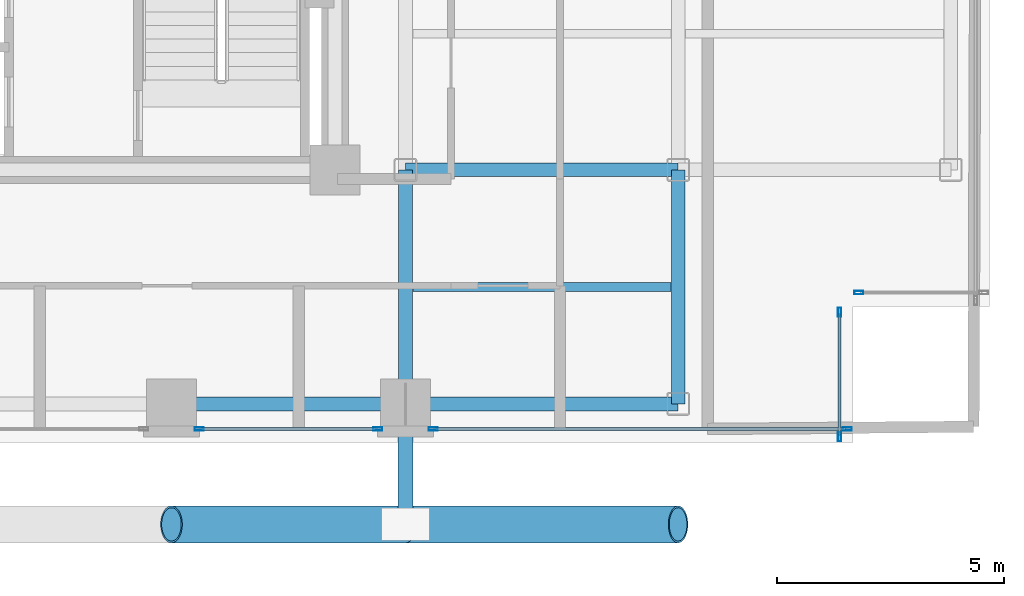
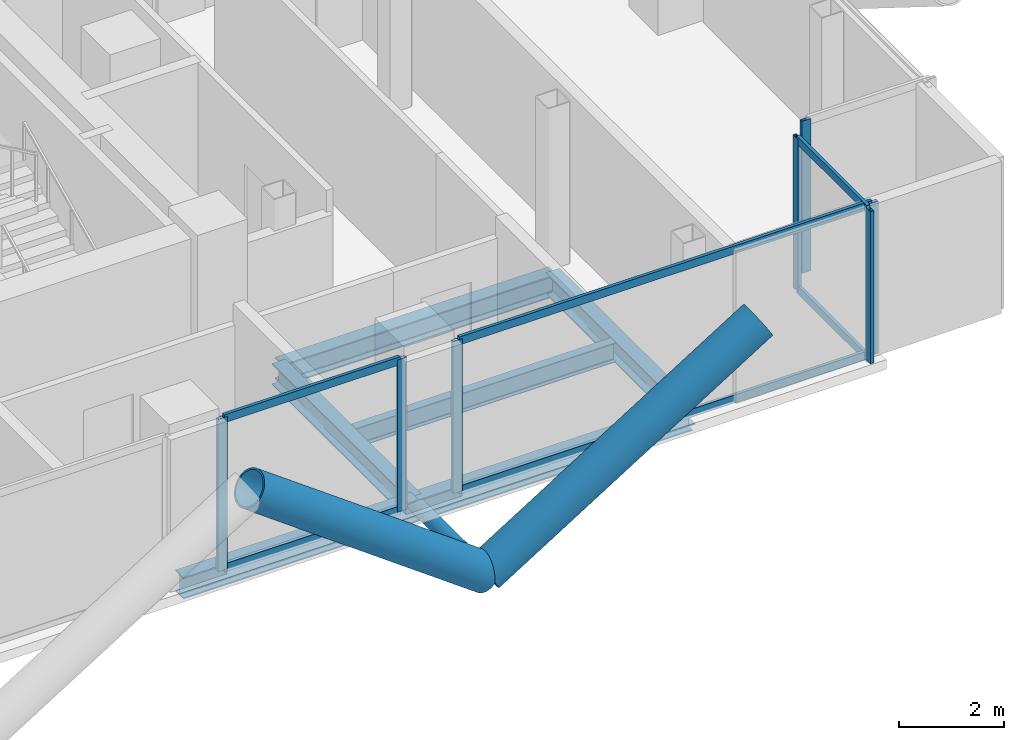
# One storey, part 9 of 24: 16 members, 6 beams, 4 elements without a shape of their own.
"""IFC4 building model written with IfcOpenShell, lengths in metres."""

from ifc_helpers import new_model, si_unit, direction, frame, origin, origin_2d, place, context, subcontext, project, spatial, hollow_rectangle, hollow_circle, i_section, extrude, material, layer, layer_set, material_profile, profile_set, type_object, element, aggregate, save


model = new_model("IFC4")

# Units and contexts
model_context = context("Model", 3, precision=1e-05, world=origin(), true_north=direction((0.0, 1.0)))
body_context = subcontext(model_context, "Body", "Model", "MODEL_VIEW")
ifc_project = project(units=[si_unit("LENGTHUNIT", "METRE"), si_unit("AREAUNIT", "SQUARE_METRE"), si_unit("VOLUMEUNIT", "CUBIC_METRE"), si_unit("PLANEANGLEUNIT", "RADIAN"), si_unit("MASSUNIT", "GRAM", prefix="KILO"), si_unit("THERMODYNAMICTEMPERATUREUNIT", "KELVIN"), si_unit("POWERUNIT", "WATT")], contexts=[model_context])

# Site, building, storey
site_placement = place(None, origin())
site = spatial("IfcSite", under=ifc_project, at=site_placement, CompositionType="ELEMENT")
building_placement = place(site_placement, origin())
building = spatial("IfcBuilding", under=site, at=building_placement, Name="Svarakhadi Broadcast Tower", CompositionType="ELEMENT")
storey_placement = place(building_placement, frame((0.0, 0.0, 130.64990234375)))
storey = spatial("IfcBuildingStorey", under=building, at=storey_placement, Name="L31", CompositionType="ELEMENT", Elevation=130.64990234375)

# Beam
ifc_material_1 = material(Name="Steel S355J2 (IS 2062 E350C)", Category="steel")
ifc_material_profile_1 = material_profile(ifc_material_1, i_section(OverallWidth=0.18994140625, OverallDepth=0.449951171875, WebThickness=0.009521484375, FlangeThickness=0.0146484375, FilletRadius=0.02099609375, at=origin_2d()), Name="NPB 450x190x78")
ifc_profile_set_1 = profile_set([ifc_material_profile_1], Name="Steel S355J2 (IS 2062 E350C)")
beam_type_1 = type_object("IfcBeamType", Name="Beam_NPB450", PredefinedType="BEAM", material=ifc_profile_set_1)
beam_1_placement = place(storey_placement, frame((35.31005859375, 3.425048828125, -0.449951171875), z_axis=(1.0, 0.0, 0.0), x_axis=(0.0, 1.0, 0.0)))
element("IfcBeam", 1, at=beam_1_placement, inside=storey, type_object=beam_type_1, Name="L31 Secondary Composite Beam SB019", PredefinedType="BEAM", context=body_context, shape_type="SweptSolid", body=[
    extrude(i_section(OverallWidth=0.18994140625, OverallDepth=0.449951171875, WebThickness=0.009521484375, FlangeThickness=0.0146484375, FilletRadius=0.02099609375, at=origin_2d()), origin(), (0.0, 0.0, 1.0), 5.679931640625),
])

# Curtain wall, member
ifc_material_2 = material(Name="Anodised Bronze Aluminium AA 6063-T6", Category="aluminium")
ifc_layer = layer(ifc_material_2, 0.199951171875)
ifc_layer_set = layer_set([ifc_layer], Name="Anodised Bronze Aluminium AA 6063-T6")
curtain_wall_type = type_object("IfcCurtainWallType", Name="CW_Sys_03", PredefinedType="NOTDEFINED", material=ifc_layer_set)
curtain_wall_1_placement = place(storey_placement, origin())
curtain_wall_1 = element("IfcCurtainWall", 2, at=curtain_wall_1_placement, inside=storey, type_object=curtain_wall_type, Name="L31 Unitised Facade Curtain Wall 14", PredefinedType="NOTDEFINED")
ifc_material_profile_2 = material_profile(ifc_material_2, hollow_rectangle(XDim=0.074951171875, YDim=0.199951171875, WallThickness=0.005615234375, at=origin_2d()), Name="ALU MULLION 200x75x6")
ifc_profile_set_2 = profile_set([ifc_material_profile_2], Name="Anodised Bronze Aluminium AA 6063-T6")
member_type_1 = type_object("IfcMemberType", Name="CW_Sys_03_Mul", PredefinedType="MULLION", material=ifc_profile_set_2)
member_1_placement = place(storey_placement, frame((45.12744140625, 3.300048828125, 0.0), z_axis=(0.0, 0.0, 1.0), x_axis=(0.0, -1.0, 0.0)))
member_1 = element("IfcMember", 3, at=member_1_placement, type_object=member_type_1, Name="CW-03 mullion 2", PredefinedType="MULLION", context=body_context, shape_type="SweptSolid", body=[
    extrude(hollow_rectangle(XDim=0.074951171875, YDim=0.199951171875, WallThickness=0.005615234375, at=origin_2d()), origin(), (0.0, 0.0, 1.0), 3.525146484375),
])
aggregate(curtain_wall_1, [member_1])

# Curtain wall, members
curtain_wall_2_placement = place(storey_placement, origin())
curtain_wall_2 = element("IfcCurtainWall", 4, at=curtain_wall_2_placement, inside=storey, type_object=curtain_wall_type, Name="L31 Unitised Facade Curtain Wall 15", PredefinedType="NOTDEFINED")
member_2_placement = place(storey_placement, frame((44.699951171875, 2.87255859375, 0.0), z_axis=(0.0, 0.0, 1.0), x_axis=(1.0, 0.0, 0.0)))
member_2 = element("IfcMember", 5, at=member_2_placement, type_object=member_type_1, Name="CW-03 mullion 1", PredefinedType="MULLION", context=body_context, shape_type="SweptSolid", body=[
    extrude(hollow_rectangle(XDim=0.074951171875, YDim=0.199951171875, WallThickness=0.005615234375, at=origin_2d()), origin(), (0.0, 0.0, 1.0), 3.525146484375),
])
member_3_placement = place(storey_placement, frame((44.699951171875, 0.12744140625, 0.0), z_axis=(0.0, 0.0, 1.0), x_axis=(1.0, 0.0, 0.0)))
member_3 = element("IfcMember", 6, at=member_3_placement, type_object=member_type_1, Name="CW-03 mullion 2", PredefinedType="MULLION", context=body_context, shape_type="SweptSolid", body=[
    extrude(hollow_rectangle(XDim=0.074951171875, YDim=0.199951171875, WallThickness=0.005615234375, at=origin_2d()), origin(), (0.0, 0.0, 1.0), 3.525146484375),
])

curtain_wall_3_placement = place(storey_placement, origin())
curtain_wall_3 = element("IfcCurtainWall", 7, at=curtain_wall_3_placement, inside=storey, type_object=curtain_wall_type, Name="L31 South Curtain Wall 16 Bay 1", PredefinedType="NOTDEFINED")
member_4_placement = place(storey_placement, frame((44.87255859375, 0.300048828125, 0.0), z_axis=(0.0, 0.0, 1.0), x_axis=(0.0, -1.0, 0.0)))
member_4 = element("IfcMember", 8, at=member_4_placement, type_object=member_type_1, Name="CW-03 mullion 1", PredefinedType="MULLION", context=body_context, shape_type="SweptSolid", body=[
    extrude(hollow_rectangle(XDim=0.074951171875, YDim=0.199951171875, WallThickness=0.005615234375, at=origin_2d()), origin(), (0.0, 0.0, 1.0), 3.525146484375),
])
member_5_placement = place(storey_placement, frame((35.757568359375, 0.300048828125, 0.0), z_axis=(0.0, 0.0, 1.0), x_axis=(0.0, -1.0, 0.0)))
member_5 = element("IfcMember", 9, at=member_5_placement, type_object=member_type_1, Name="CW-03 mullion 2", PredefinedType="MULLION", context=body_context, shape_type="SweptSolid", body=[
    extrude(hollow_rectangle(XDim=0.074951171875, YDim=0.199951171875, WallThickness=0.005615234375, at=origin_2d()), origin(), (0.0, 0.0, 1.0), 3.525146484375),
])

curtain_wall_4_placement = place(storey_placement, origin())
curtain_wall_4 = element("IfcCurtainWall", 10, at=curtain_wall_4_placement, inside=storey, type_object=curtain_wall_type, Name="L31 South Curtain Wall 16 Bay 2", PredefinedType="NOTDEFINED")
member_6_placement = place(storey_placement, frame((34.54248046875, 0.300048828125, 0.0), z_axis=(0.0, 0.0, 1.0), x_axis=(0.0, -1.0, 0.0)))
member_6 = element("IfcMember", 11, at=member_6_placement, type_object=member_type_1, Name="CW-03 mullion 1", PredefinedType="MULLION", context=body_context, shape_type="SweptSolid", body=[
    extrude(hollow_rectangle(XDim=0.074951171875, YDim=0.199951171875, WallThickness=0.005615234375, at=origin_2d()), origin(), (0.0, 0.0, 1.0), 3.525146484375),
])
member_7_placement = place(storey_placement, frame((30.607421875, 0.300048828125, 0.0), z_axis=(0.0, 0.0, 1.0), x_axis=(0.0, -1.0, 0.0)))
member_7 = element("IfcMember", 12, at=member_7_placement, type_object=member_type_1, Name="CW-03 mullion 2", PredefinedType="MULLION", context=body_context, shape_type="SweptSolid", body=[
    extrude(hollow_rectangle(XDim=0.074951171875, YDim=0.199951171875, WallThickness=0.005615234375, at=origin_2d()), origin(), (0.0, 0.0, 1.0), 3.525146484375),
])

# Member
ifc_material_profile_3 = material_profile(ifc_material_2, hollow_rectangle(XDim=0.070068359375, YDim=0.18505859375, WallThickness=0.0048828125, at=origin_2d()), Name="ALU TRANSOM 185x70x5")
ifc_profile_set_3 = profile_set([ifc_material_profile_3], Name="Anodised Bronze Aluminium AA 6063-T6")
member_type_2 = type_object("IfcMemberType", Name="CW_Sys_03_Trn", PredefinedType="USERDEFINED", material=ifc_profile_set_3)
member_8_placement = place(storey_placement, frame((44.699951171875, 2.8349609375, 0.03515625), z_axis=(0.0, -1.0, 0.0), x_axis=(1.0, 0.0, 0.0)))
member_8 = element("IfcMember", 13, at=member_8_placement, type_object=member_type_2, Name="CW-03 transom 1.1", ObjectType="TRANSOM", PredefinedType="USERDEFINED", context=body_context, shape_type="SweptSolid", body=[
    extrude(hollow_rectangle(XDim=0.070068359375, YDim=0.18505859375, WallThickness=0.0048828125, at=origin_2d()), origin(), (0.0, 0.0, 1.0), 2.669921875),
])

member_9_placement = place(storey_placement, frame((44.699951171875, 2.8349609375, 3.489990234375), z_axis=(0.0, -1.0, 0.0), x_axis=(1.0, 0.0, 0.0)))
member_9 = element("IfcMember", 14, at=member_9_placement, type_object=member_type_2, Name="CW-03 transom 1.2", ObjectType="TRANSOM", PredefinedType="USERDEFINED", context=body_context, shape_type="SweptSolid", body=[
    extrude(hollow_rectangle(XDim=0.070068359375, YDim=0.18505859375, WallThickness=0.0048828125, at=origin_2d()), origin(), (0.0, 0.0, 1.0), 2.669921875),
])

aggregate(curtain_wall_2, [member_2, member_3, member_8, member_9])

member_10_placement = place(storey_placement, frame((44.8349609375, 0.300048828125, 0.03515625), z_axis=(-1.0, 0.0, 0.0), x_axis=(0.0, -1.0, 0.0)))
member_10 = element("IfcMember", 15, at=member_10_placement, type_object=member_type_2, Name="CW-03 transom 1.1", ObjectType="TRANSOM", PredefinedType="USERDEFINED", context=body_context, shape_type="SweptSolid", body=[
    extrude(hollow_rectangle(XDim=0.070068359375, YDim=0.18505859375, WallThickness=0.0048828125, at=origin_2d()), origin(), (0.0, 0.0, 1.0), 9.0400390625),
])

member_11_placement = place(storey_placement, frame((44.8349609375, 0.300048828125, 3.489990234375), z_axis=(-1.0, 0.0, 0.0), x_axis=(0.0, -1.0, 0.0)))
member_11 = element("IfcMember", 16, at=member_11_placement, type_object=member_type_2, Name="CW-03 transom 1.2", ObjectType="TRANSOM", PredefinedType="USERDEFINED", context=body_context, shape_type="SweptSolid", body=[
    extrude(hollow_rectangle(XDim=0.070068359375, YDim=0.18505859375, WallThickness=0.0048828125, at=origin_2d()), origin(), (0.0, 0.0, 1.0), 9.0400390625),
])

aggregate(curtain_wall_3, [member_4, member_5, member_10, member_11])

member_12_placement = place(storey_placement, frame((34.5048828125, 0.300048828125, 0.03515625), z_axis=(-1.0, 0.0, 0.0), x_axis=(0.0, -1.0, 0.0)))
member_12 = element("IfcMember", 17, at=member_12_placement, type_object=member_type_2, Name="CW-03 transom 1.1", ObjectType="TRANSOM", PredefinedType="USERDEFINED", context=body_context, shape_type="SweptSolid", body=[
    extrude(hollow_rectangle(XDim=0.070068359375, YDim=0.18505859375, WallThickness=0.0048828125, at=origin_2d()), origin(), (0.0, 0.0, 1.0), 3.85986328125),
])

member_13_placement = place(storey_placement, frame((34.5048828125, 0.300048828125, 3.489990234375), z_axis=(-1.0, 0.0, 0.0), x_axis=(0.0, -1.0, 0.0)))
member_13 = element("IfcMember", 18, at=member_13_placement, type_object=member_type_2, Name="CW-03 transom 1.2", ObjectType="TRANSOM", PredefinedType="USERDEFINED", context=body_context, shape_type="SweptSolid", body=[
    extrude(hollow_rectangle(XDim=0.070068359375, YDim=0.18505859375, WallThickness=0.0048828125, at=origin_2d()), origin(), (0.0, 0.0, 1.0), 3.85986328125),
])

aggregate(curtain_wall_4, [member_6, member_7, member_12, member_13])

# Members
ifc_material_3 = material(Name="Steel S460ML (IS 2062 E450BR)", Category="steel")
ifc_material_profile_4 = material_profile(ifc_material_3, hollow_circle(Radius=0.406494140625, WallThickness=0.0400390625, at=origin_2d()), Name="CHS 813x40")
ifc_profile_set_4 = profile_set([ifc_material_profile_4], Name="Steel S460ML (IS 2062 E450BR)")
member_type_3 = type_object("IfcMemberType", Name="Exo_Brace_CHS813", PredefinedType="BRACE", material=ifc_profile_set_4)
member_14_placement = place(storey_placement, frame((35.14990234375, -1.800048828125, -0.386962890625), z_axis=(-0.808391243061, 0.0, 0.588645562407), x_axis=(0.0, -1.0, 0.0)))
element("IfcMember", 19, at=member_14_placement, inside=storey, type_object=member_type_3, Name="L31 Exposed Bronze Exoskeleton Diagonal S02", PredefinedType="BRACE", context=body_context, shape_type="SweptSolid", body=[
    extrude(hollow_circle(Radius=0.406494140625, WallThickness=0.0400390625, at=origin_2d()), origin(), (0.0, 0.0, 1.0), 6.37060546875),
])
member_15_placement = place(storey_placement, frame((35.14990234375, -1.800048828125, -0.386962890625), z_axis=(0.847998304005, 0.0, 0.529998940003), x_axis=(0.0, 1.0, 0.0)))
element("IfcMember", 20, at=member_15_placement, inside=storey, type_object=member_type_3, Name="L31 Exposed Bronze Exoskeleton Diagonal S03", PredefinedType="BRACE", context=body_context, shape_type="SweptSolid", body=[
    extrude(hollow_circle(Radius=0.406494140625, WallThickness=0.0400390625, at=origin_2d()), origin(), (0.0, 0.0, 1.0), 7.075439453125),
])
ifc_material_profile_5 = material_profile(ifc_material_3, hollow_circle(Radius=0.161865234375, WallThickness=0.01611328125, at=origin_2d()), Name="CHS 323.9x16")
ifc_profile_set_5 = profile_set([ifc_material_profile_5], Name="Steel S460ML (IS 2062 E450BR)")
member_type_4 = type_object("IfcMemberType", Name="Exo_Radial_Strut_Z2", PredefinedType="STRUT", material=ifc_profile_set_5)
member_16_placement = place(storey_placement, frame((35.14990234375, -1.800048828125, -0.386962890625), z_axis=(0.0, 1.0, 0.0), x_axis=(-1.0, 0.0, 0.0)))
element("IfcMember", 21, at=member_16_placement, inside=storey, type_object=member_type_4, Name="L31 Exoskeleton Radial Tie Strut S02", PredefinedType="STRUT", context=body_context, shape_type="SweptSolid", body=[
    extrude(hollow_circle(Radius=0.161865234375, WallThickness=0.01611328125, at=origin_2d()), origin(), (0.0, 0.0, 1.0), 2.650146484375),
])

# Beams
ifc_material_profile_6 = material_profile(ifc_material_1, i_section(OverallWidth=0.300048828125, OverallDepth=0.5, WebThickness=0.014404296875, FlangeThickness=0.028076171875, FilletRadius=0.027099609375, at=origin_2d()), Name="WPB 500x300x187")
ifc_profile_set_6 = profile_set([ifc_material_profile_6], Name="Steel S355J2 (IS 2062 E350C)")
beam_type_2 = type_object("IfcBeamType", Name="Girder_WPB500", PredefinedType="USERDEFINED", material=ifc_profile_set_6)
beam_2_placement = place(storey_placement, frame((30.0, 0.85009765625, -0.474853515625), z_axis=(1.0, 0.0, 0.0), x_axis=(0.0, 1.0, 0.0)))
element("IfcBeam", 22, at=beam_2_placement, inside=storey, type_object=beam_type_2, Name="L31 Primary E-W Girder G008", ObjectType="GIRDER", PredefinedType="USERDEFINED", context=body_context, shape_type="SweptSolid", body=[
    extrude(i_section(OverallWidth=0.300048828125, OverallDepth=0.5, WebThickness=0.014404296875, FlangeThickness=0.028076171875, FilletRadius=0.027099609375, at=origin_2d()), origin(), (0.0, 0.0, 1.0), 5.14990234375),
])
for number, where, z_axis, x_axis, name in (
    (23, (35.14990234375, 0.85009765625, -0.474853515625), (1.0, 0.0, 0.0), (0.0, 1.0, 0.0), "L31 Primary E-W Girder G009"),
    (24, (35.14990234375, 6.0, -0.474853515625), (1.0, 0.0, 0.0), (0.0, 1.0, 0.0), "L31 Primary E-W Girder G015"),
):
    element("IfcBeam", number, at=place(storey_placement, frame(where, z_axis=z_axis, x_axis=x_axis)), inside=storey, type_object=beam_type_2, Name=name, ObjectType="GIRDER", PredefinedType="USERDEFINED", context=body_context, shape_type="SweptSolid", body=[
        extrude(i_section(OverallWidth=0.300048828125, OverallDepth=0.5, WebThickness=0.014404296875, FlangeThickness=0.028076171875, FilletRadius=0.027099609375, at=origin_2d()), origin(), (0.0, 0.0, 1.0), 6.0),
    ])
for number, where, z_axis, x_axis, name in (
    (25, (35.14990234375, 0.85009765625, -0.474853515625), (0.0, 1.0, 0.0), (-1.0, 0.0, 0.0), "L31 Primary N-S Girder G067"),
    (26, (41.14990234375, 0.85009765625, -0.474853515625), (0.0, 1.0, 0.0), (-1.0, 0.0, 0.0), "L31 Primary N-S Girder G070"),
):
    element("IfcBeam", number, at=place(storey_placement, frame(where, z_axis=z_axis, x_axis=x_axis)), inside=storey, type_object=beam_type_2, Name=name, ObjectType="GIRDER", PredefinedType="USERDEFINED", context=body_context, shape_type="SweptSolid", body=[
        extrude(i_section(OverallWidth=0.300048828125, OverallDepth=0.5, WebThickness=0.014404296875, FlangeThickness=0.028076171875, FilletRadius=0.027099609375, at=origin_2d()), origin(), (0.0, 0.0, 1.0), 5.14990234375),
    ])

save(model, "model.ifc")
